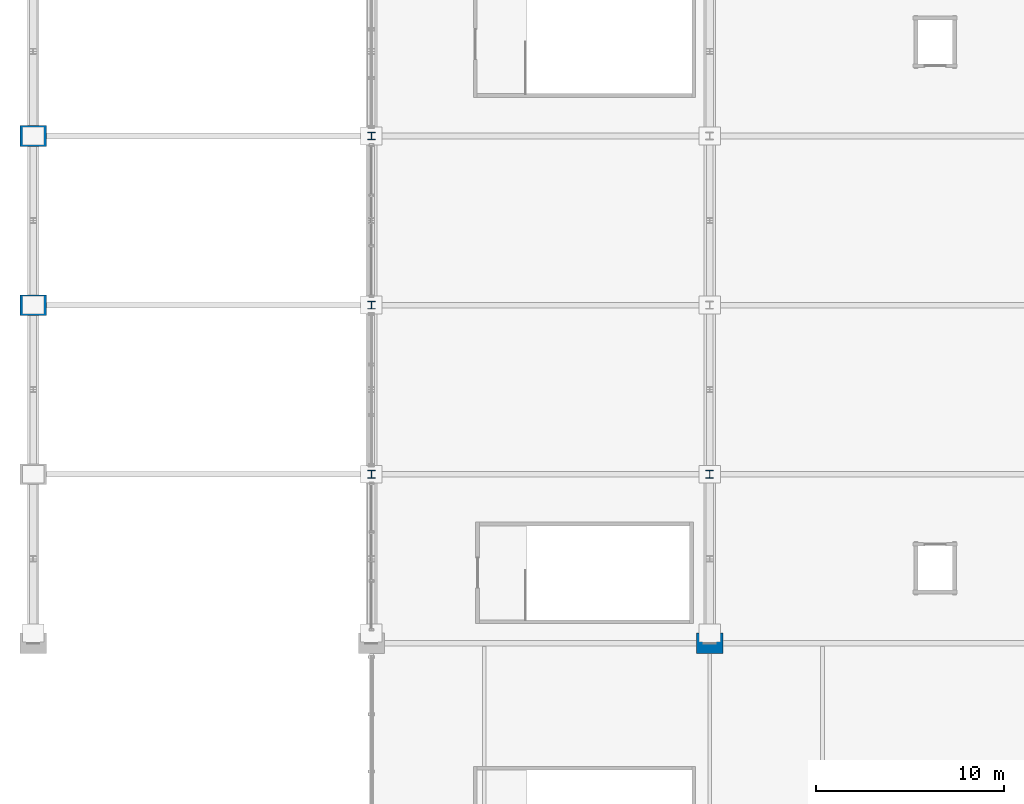
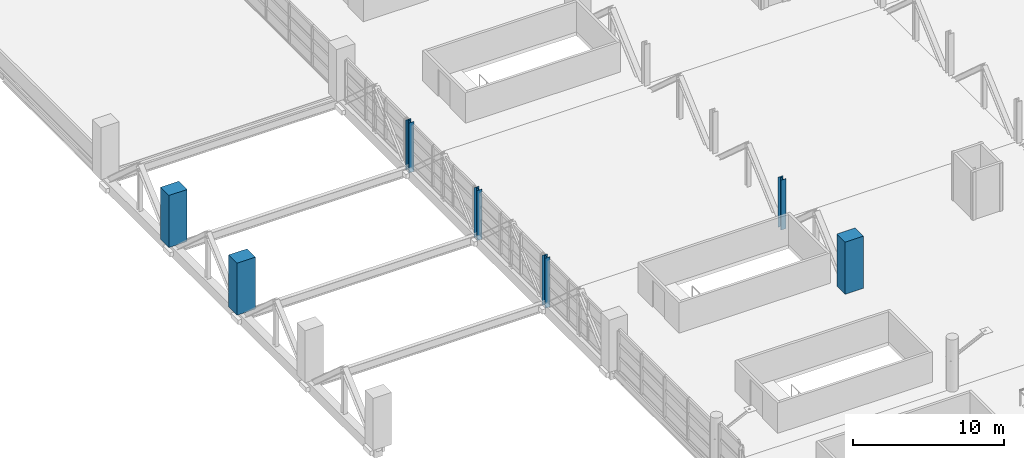
# One storey, part 2 of 136: 7 columns.
"""IFC4 building model written with IfcOpenShell, lengths in metres."""

from ifc_helpers import new_model, si_unit, direction, frame, origin, origin_2d, place, context, subcontext, project, spatial, rectangle, i_section, extrude, material, material_profile, profile_set, type_object, element, save


model = new_model("IFC4")

# Units and contexts
model_context = context("Model", 3, precision=1e-05, world=origin(), true_north=direction((0.0, 1.0)))
body_context = subcontext(model_context, "Body", "Model", "MODEL_VIEW")
ifc_project = project(units=[si_unit("LENGTHUNIT", "METRE"), si_unit("AREAUNIT", "SQUARE_METRE"), si_unit("VOLUMEUNIT", "CUBIC_METRE"), si_unit("PLANEANGLEUNIT", "RADIAN"), si_unit("MASSUNIT", "GRAM", prefix="KILO")], contexts=[model_context])

# Site, building, storey
site_placement = place(None, origin())
site = spatial("IfcSite", under=ifc_project, at=site_placement, CompositionType="ELEMENT")
building_placement = place(site_placement, origin())
building = spatial("IfcBuilding", under=site, at=building_placement, Name="Chuanluo Vaults Station", CompositionType="ELEMENT")
storey_placement = place(building_placement, frame((0.0, 0.0, 6.60009765625)))
storey = spatial("IfcBuildingStorey", under=building, at=storey_placement, Name="L01", CompositionType="ELEMENT", Elevation=6.60009765625)

# Columns
ifc_material_1 = material(Name="Concrete C50", Category="concrete")
ifc_material_profile_1 = material_profile(ifc_material_1, rectangle(XDim=1.39990234375, YDim=1.10009765625, at=origin_2d()))
ifc_profile_set_1 = profile_set([ifc_material_profile_1], Name="Concrete C50")
column_type_1 = type_object("IfcColumnType", Name="COL-SRC-1400x1100", PredefinedType="COLUMN", material=ifc_profile_set_1)
for number, where, z_axis, x_axis, name in (
    (1, (0.0, 85.5, 0.0), (0.0, 0.0, 1.0), (1.0, 0.0, 0.0), "Column L01-010"),
    (2, (0.0, 94.5, 0.0), (0.0, 0.0, 1.0), (1.0, 0.0, 0.0), "Column L01-011"),
    (3, (36.0, 67.5, 0.0), (0.0, 0.0, 1.0), (1.0, 0.0, 0.0), "Column L01-031"),
):
    element("IfcColumn", number, at=place(storey_placement, frame(where, z_axis=z_axis, x_axis=x_axis)), inside=storey, type_object=column_type_1, Name=name, PredefinedType="COLUMN", context=body_context, shape_type="SweptSolid", body=[
        extrude(rectangle(XDim=1.39990234375, YDim=1.10009765625, at=origin_2d()), origin(), (0.0, 0.0, 1.0), 4.199951171875),
    ])
ifc_material_2 = material(Name="Steel Q355C", Category="steel")
ifc_material_profile_2 = material_profile(ifc_material_2, i_section(OverallWidth=0.39990234375, OverallDepth=0.407958984375, WebThickness=0.02099609375, FlangeThickness=0.02099609375, FilletRadius=0.02197265625, at=origin_2d()))
ifc_profile_set_2 = profile_set([ifc_material_profile_2], Name="Steel Q355C")
column_type_2 = type_object("IfcColumnType", Name="COL-STL-HW408", PredefinedType="COLUMN", material=ifc_profile_set_2)
for number, where, z_axis, x_axis, name in (
    (4, (18.0, 76.5, -0.68017578125), (0.0, 0.0, 1.0), (1.0, 0.0, 0.0), "Transfer truss TT-2 vertical column post 76"),
    (5, (18.0, 85.5, -0.68017578125), (0.0, 0.0, 1.0), (1.0, 0.0, 0.0), "Transfer truss TT-2 vertical column post 85"),
    (6, (18.0, 94.5, -0.68017578125), (0.0, 0.0, 1.0), (1.0, 0.0, 0.0), "Transfer truss TT-2 vertical column post 94"),
    (7, (36.0, 76.5, -0.68017578125), (0.0, 0.0, 1.0), (1.0, 0.0, 0.0), "Transfer truss TT-3 vertical column post 76"),
):
    element("IfcColumn", number, at=place(storey_placement, frame(where, z_axis=z_axis, x_axis=x_axis)), inside=storey, type_object=column_type_2, Name=name, PredefinedType="COLUMN", context=body_context, shape_type="SweptSolid", body=[
        extrude(i_section(OverallWidth=0.39990234375, OverallDepth=0.407958984375, WebThickness=0.02099609375, FlangeThickness=0.02099609375, FilletRadius=0.02197265625, at=origin_2d()), origin(), (0.0, 0.0, 1.0), 4.030029296875),
    ])

save(model, "model.ifc")
